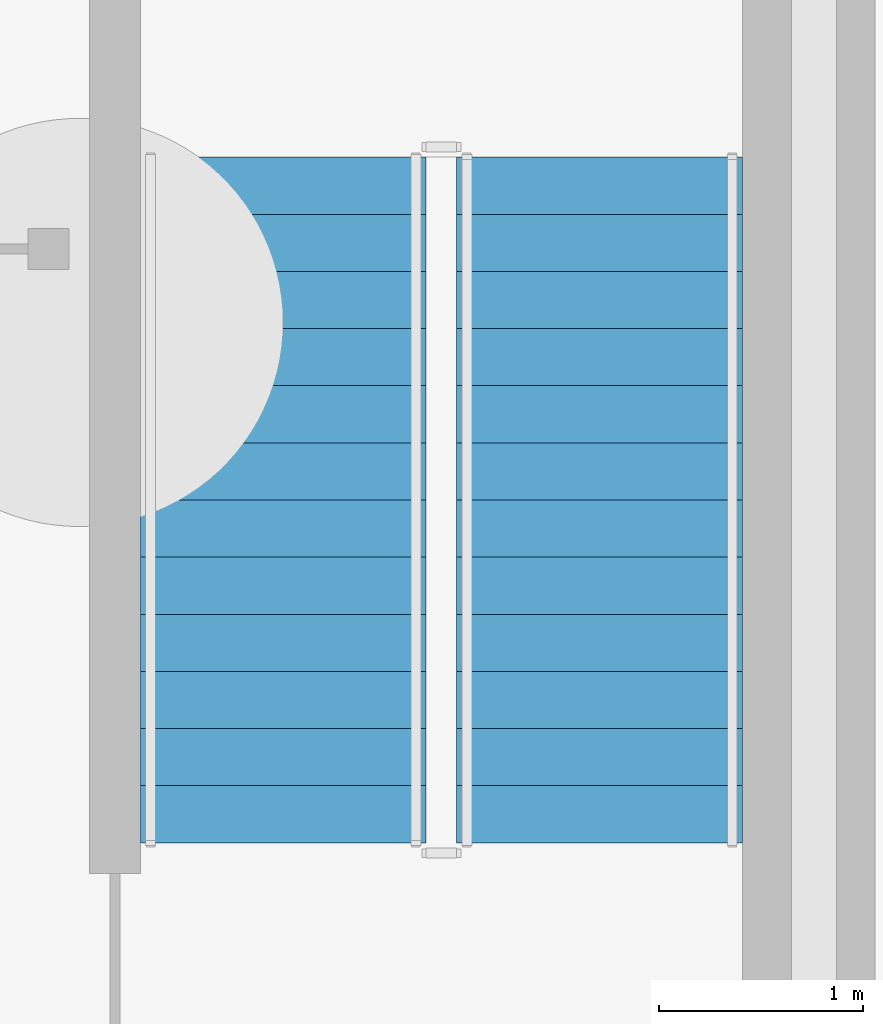
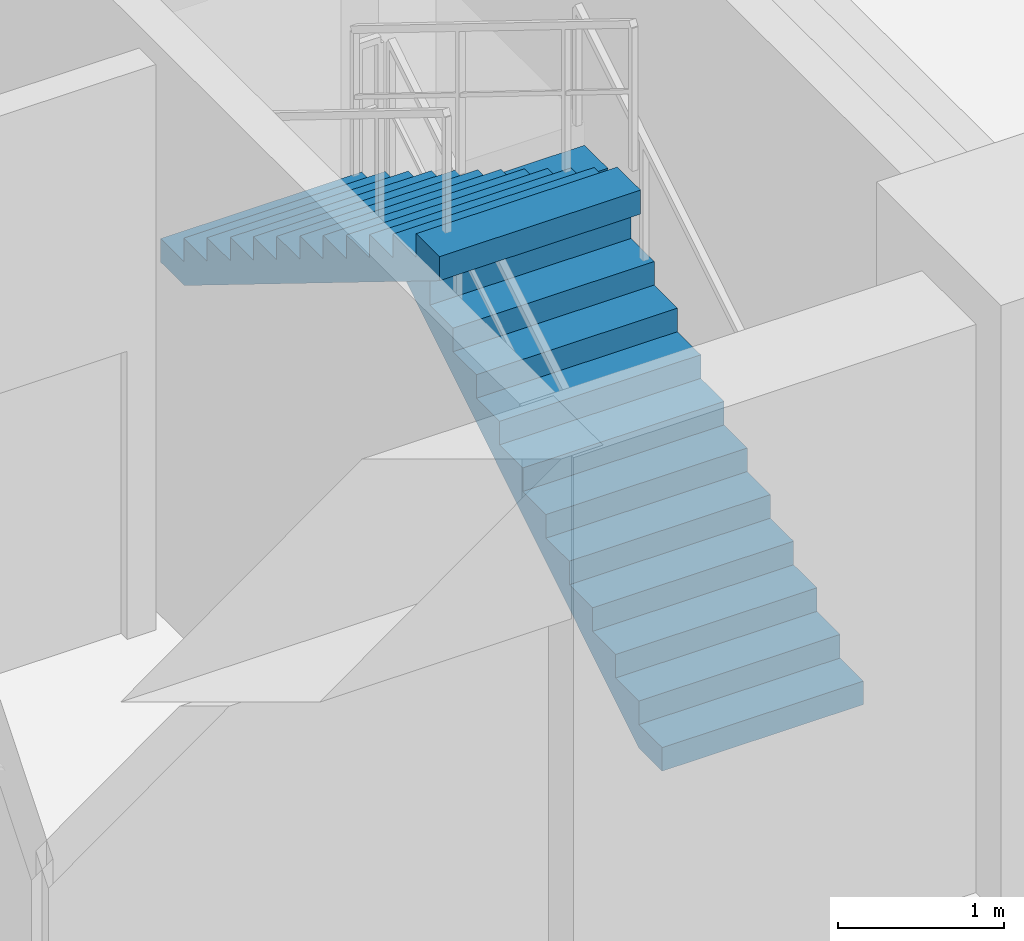
# One storey, part 9 of 11: 2 stair flights, 1 element without a shape of its own.
"""IFC4 building model written with IfcOpenShell, lengths in metres."""

from ifc_helpers import new_model, si_unit, direction, frame, origin, place, context, subcontext, project, spatial, polyline, outline, extrude, material, type_object, element, aggregate, save


model = new_model("IFC4")

# Units and contexts
model_context = context("Model", 3, precision=1e-05, world=origin(), true_north=direction((0.0, 1.0)))
body_context = subcontext(model_context, "Body", "Model", "MODEL_VIEW")
ifc_project = project(units=[si_unit("LENGTHUNIT", "METRE"), si_unit("AREAUNIT", "SQUARE_METRE"), si_unit("VOLUMEUNIT", "CUBIC_METRE"), si_unit("PLANEANGLEUNIT", "RADIAN"), si_unit("MASSUNIT", "GRAM", prefix="KILO")], contexts=[model_context])

# Site, building, storey
site_placement = place(None, origin())
site = spatial("IfcSite", under=ifc_project, at=site_placement, CompositionType="ELEMENT")
building_placement = place(site_placement, origin())
building = spatial("IfcBuilding", under=site, at=building_placement, Name="Kaliganga Portal Commons", CompositionType="ELEMENT")
storey_placement = place(building_placement, frame((0.0, 0.0, -9.0)))
storey = spatial("IfcBuildingStorey", under=building, at=storey_placement, Name="B2", CompositionType="ELEMENT", Elevation=-9.0)

# Stair, stair flights
ifc_material = material(Name="Concrete C40/50", Category="concrete")
stair_type = type_object("IfcStairType", Name="ST-CORE-DOGLEG", PredefinedType="HALF_TURN_STAIR", material=ifc_material)
stair_placement = place(storey_placement, origin())
stair = element("IfcStair", 1, at=stair_placement, inside=storey, type_object=stair_type, Name="B2 Protected Exit Stair ST-A2", PredefinedType="HALF_TURN_STAIR")
stair_flight_type = type_object("IfcStairFlightType", Name="STF-RC-1400", PredefinedType="STRAIGHT", material=ifc_material)
stair_flight_1_placement = place(storey_placement, frame((27.75, 30.25, 0.0), z_axis=(0.0, 0.0, 1.0), x_axis=(0.0, 1.0, 0.0)))
stair_flight_1 = element("IfcStairFlight", 2, at=stair_flight_1_placement, type_object=stair_flight_type, Name="ST-A2 flight 1", NumberOfRisers=13, NumberOfTreads=12, PredefinedType="STRAIGHT", RiserHeight=0.173076923, TreadLength=0.28, context=body_context, shape_type="SweptSolid", body=[
    extrude(outline(polyline([(0.0, 0.0), (0.0, 0.173095703125), (0.280029296875, 0.173095703125), (0.280029296875, 0.34619140625), (0.56005859375, 0.34619140625), (0.56005859375, 0.519287109375), (0.840087890625, 0.519287109375), (0.840087890625, 0.6923828125), (1.1201171875, 0.6923828125), (1.1201171875, 0.865478515625), (1.39990234375, 0.865478515625), (1.39990234375, 1.03857421875), (1.679931640625, 1.03857421875), (1.679931640625, 1.21142578125), (1.9599609375, 1.21142578125), (1.9599609375, 1.384521484375), (2.239990234375, 1.384521484375), (2.239990234375, 1.5576171875), (2.52001953125, 1.5576171875), (2.52001953125, 1.730712890625), (2.800048828125, 1.730712890625), (2.800048828125, 1.90380859375), (3.080078125, 1.90380859375), (3.080078125, 2.076904296875), (3.360107421875, 2.076904296875), (3.360107421875, 2.25), (3.360107421875, 1.900634765625), (0.28515625, 0.0), (0.0, 0.0)])), frame((0.0, 0.699951171875, 0.0), z_axis=(0.0, -1.0, 0.0), x_axis=(1.0, 0.0, 0.0)), (0.0, 0.0, 1.0), 1.39990234375),
])
stair_flight_2_placement = place(storey_placement, frame((26.199951171875, 33.610107421875, 2.25), z_axis=(0.0, 0.0, 1.0), x_axis=(0.0, -1.0, 0.0)))
stair_flight_2 = element("IfcStairFlight", 3, at=stair_flight_2_placement, type_object=stair_flight_type, Name="ST-A2 flight 2", NumberOfRisers=13, NumberOfTreads=12, PredefinedType="STRAIGHT", RiserHeight=0.173076923, TreadLength=0.28, context=body_context, shape_type="SweptSolid", body=[
    extrude(outline(polyline([(0.0, 0.0), (0.0, 0.173095703125), (0.280029296875, 0.173095703125), (0.280029296875, 0.34619140625), (0.56005859375, 0.34619140625), (0.56005859375, 0.519287109375), (0.840087890625, 0.519287109375), (0.840087890625, 0.6923828125), (1.1201171875, 0.6923828125), (1.1201171875, 0.865478515625), (1.39990234375, 0.865478515625), (1.39990234375, 1.03857421875), (1.679931640625, 1.03857421875), (1.679931640625, 1.21142578125), (1.9599609375, 1.21142578125), (1.9599609375, 1.384521484375), (2.239990234375, 1.384521484375), (2.239990234375, 1.5576171875), (2.52001953125, 1.5576171875), (2.52001953125, 1.730712890625), (2.800048828125, 1.730712890625), (2.800048828125, 1.90380859375), (3.080078125, 1.90380859375), (3.080078125, 2.076904296875), (3.360107421875, 2.076904296875), (3.360107421875, 2.25), (3.360107421875, 1.900634765625), (0.28515625, 0.0), (0.0, 0.0)])), frame((0.0, 0.699951171875, 0.0), z_axis=(0.0, -1.0, 0.0), x_axis=(1.0, 0.0, 0.0)), (0.0, 0.0, 1.0), 1.39990234375),
])
aggregate(stair, [stair_flight_1, stair_flight_2])

save(model, "model.ifc")
